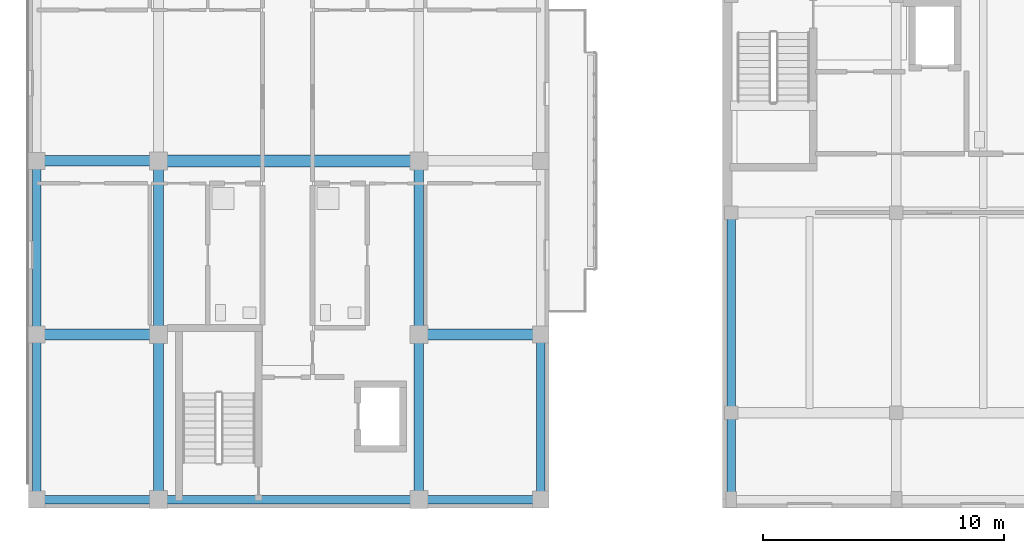
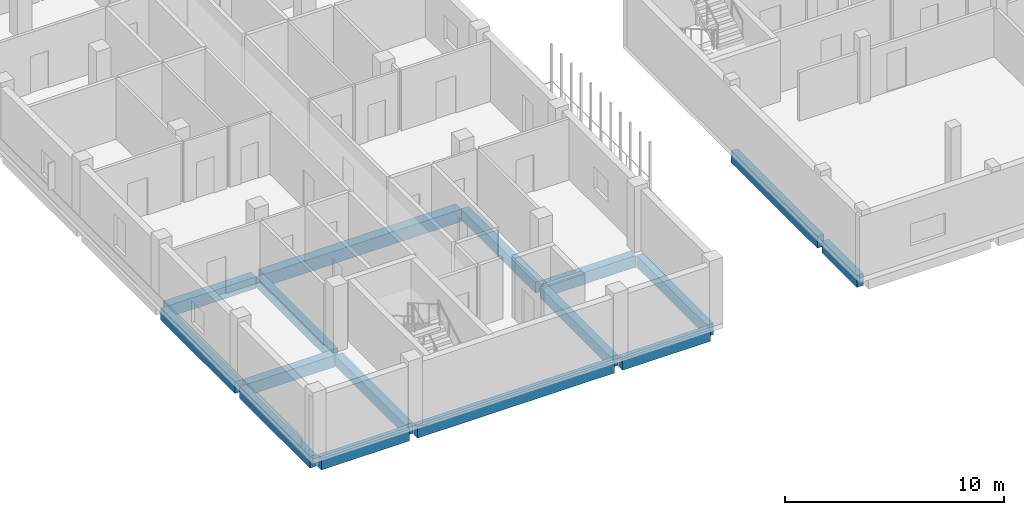
# One storey, part 3 of 73: 16 beams.
"""IFC4 building model written with IfcOpenShell, lengths in metres."""

from ifc_helpers import new_model, si_unit, derived_unit, direction, frame, origin, origin_2d, place, context, subcontext, project, spatial, rectangle, extrude, material, material_profile, profile_set, type_object, element, save


model = new_model("IFC4")

# Units and contexts
model_context = context("Model", 3, precision=1e-05, world=origin(), true_north=direction((0.0, 1.0)))
body_context = subcontext(model_context, "Body", "Model", "MODEL_VIEW")
ifc_project = project(units=[si_unit("LENGTHUNIT", "METRE"), si_unit("AREAUNIT", "SQUARE_METRE"), si_unit("VOLUMEUNIT", "CUBIC_METRE"), si_unit("PLANEANGLEUNIT", "RADIAN"), si_unit("MASSUNIT", "GRAM", prefix="KILO"), derived_unit("THERMALTRANSMITTANCEUNIT", [(si_unit("MASSUNIT", "GRAM", prefix="KILO"), 1), (si_unit("TIMEUNIT", "SECOND"), -3), (si_unit("THERMODYNAMICTEMPERATUREUNIT", "KELVIN"), -1)])], contexts=[model_context])

# Site, building, storey
site_placement = place(None, origin())
site = spatial("IfcSite", under=ifc_project, at=site_placement, CompositionType="ELEMENT")
building_placement = place(site_placement, origin())
building = spatial("IfcBuilding", under=site, at=building_placement, Name="Ochrekiln Boulevard Commons", CompositionType="ELEMENT")
storey_placement = place(building_placement, frame((0.0, 0.0, 4.89990234375)))
storey = spatial("IfcBuildingStorey", under=building, at=storey_placement, Name="L01", CompositionType="ELEMENT", Elevation=4.89990234375)

# Beams
ifc_material_1 = material(Name="Concrete C35/45", Category="concrete")
ifc_material_profile_1 = material_profile(ifc_material_1, rectangle(XDim=0.39990234375, YDim=0.60009765625, at=origin_2d()), Name="RC-BM-400x600")
ifc_profile_set_1 = profile_set([ifc_material_profile_1], Name="Concrete C35/45")
beam_type_1 = type_object("IfcBeamType", Name="BM-RC-400x600", PredefinedType="BEAM", material=ifc_profile_set_1)
beam_1_placement = place(storey_placement, frame((5.39990234375, 0.56005859375, -0.559814453125), z_axis=(0.0, 1.0, 0.0), x_axis=(-1.0, 0.0, 0.0)))
element("IfcBeam", 1, at=beam_1_placement, inside=storey, type_object=beam_type_1, Name="Block D L01 Beam B-4060 Y30", PredefinedType="BEAM", context=body_context, shape_type="SweptSolid", body=[
    extrude(rectangle(XDim=0.39990234375, YDim=0.60009765625, at=origin_2d()), origin(), (0.0, 0.0, 1.0), 6.429931640625),
])
beam_2_placement = place(storey_placement, frame((5.39990234375, 7.409912109375, -0.559814453125), z_axis=(0.0, 1.0, 0.0), x_axis=(-1.0, 0.0, 0.0)))
element("IfcBeam", 2, at=beam_2_placement, inside=storey, type_object=beam_type_1, Name="Block D L01 Beam B-4060 Y31", PredefinedType="BEAM", context=body_context, shape_type="SweptSolid", body=[
    extrude(rectangle(XDim=0.39990234375, YDim=0.60009765625, at=origin_2d()), origin(), (0.0, 0.0, 1.0), 6.780029296875),
])
beam_3_placement = place(storey_placement, frame((16.199951171875, 0.56005859375, -0.559814453125), z_axis=(0.0, 1.0, 0.0), x_axis=(-1.0, 0.0, 0.0)))
element("IfcBeam", 3, at=beam_3_placement, inside=storey, type_object=beam_type_1, Name="Block D L01 Beam B-4060 Y37", PredefinedType="BEAM", context=body_context, shape_type="SweptSolid", body=[
    extrude(rectangle(XDim=0.39990234375, YDim=0.60009765625, at=origin_2d()), origin(), (0.0, 0.0, 1.0), 6.429931640625),
])
beam_4_placement = place(storey_placement, frame((16.199951171875, 7.409912109375, -0.559814453125), z_axis=(0.0, 1.0, 0.0), x_axis=(-1.0, 0.0, 0.0)))
element("IfcBeam", 4, at=beam_4_placement, inside=storey, type_object=beam_type_1, Name="Block D L01 Beam B-4060 Y38", PredefinedType="BEAM", context=body_context, shape_type="SweptSolid", body=[
    extrude(rectangle(XDim=0.39990234375, YDim=0.60009765625, at=origin_2d()), origin(), (0.0, 0.0, 1.0), 6.780029296875),
])
ifc_material_profile_2 = material_profile(ifc_material_1, rectangle(XDim=0.449951171875, YDim=0.64990234375, at=origin_2d()), Name="RC-BM-450x650")
ifc_profile_set_2 = profile_set([ifc_material_profile_2], Name="Concrete C35/45")
beam_type_2 = type_object("IfcBeamType", Name="BM-RC-450x650", PredefinedType="BEAM", material=ifc_profile_set_2)
beam_5_placement = place(storey_placement, frame((0.56005859375, 7.199951171875, -0.5849609375), z_axis=(1.0, 0.0, 0.0), x_axis=(0.0, 1.0, 0.0)))
element("IfcBeam", 5, at=beam_5_placement, inside=storey, type_object=beam_type_2, Name="Block D L01 Beam B-4565 X4", PredefinedType="BEAM", context=body_context, shape_type="SweptSolid", body=[
    extrude(rectangle(XDim=0.449951171875, YDim=0.64990234375, at=origin_2d()), origin(), (0.0, 0.0, 1.0), 4.6298828125),
])
beam_6_placement = place(storey_placement, frame((16.409912109375, 7.199951171875, -0.5849609375), z_axis=(1.0, 0.0, 0.0), x_axis=(0.0, 1.0, 0.0)))
element("IfcBeam", 6, at=beam_6_placement, inside=storey, type_object=beam_type_2, Name="Block D L01 Beam B-4565 X5", PredefinedType="BEAM", context=body_context, shape_type="SweptSolid", body=[
    extrude(rectangle(XDim=0.449951171875, YDim=0.64990234375, at=origin_2d()), origin(), (0.0, 0.0, 1.0), 4.630126953125),
])
beam_7_placement = place(storey_placement, frame((0.56005859375, 14.39990234375, -0.5849609375), z_axis=(1.0, 0.0, 0.0), x_axis=(0.0, 1.0, 0.0)))
element("IfcBeam", 7, at=beam_7_placement, inside=storey, type_object=beam_type_2, Name="Block D L01 Beam B-4565 X6", PredefinedType="BEAM", context=body_context, shape_type="SweptSolid", body=[
    extrude(rectangle(XDim=0.449951171875, YDim=0.64990234375, at=origin_2d()), origin(), (0.0, 0.0, 1.0), 4.6298828125),
])
ifc_material_2 = material(Name="Concrete C40/50", Category="concrete")
ifc_material_profile_3 = material_profile(ifc_material_2, rectangle(XDim=0.5, YDim=0.699951171875, at=origin_2d()), Name="RC-BM-500x700")
ifc_profile_set_3 = profile_set([ifc_material_profile_3], Name="Concrete C40/50")
beam_type_3 = type_object("IfcBeamType", Name="BM-RC-500x700", PredefinedType="BEAM", material=ifc_profile_set_3)
beam_8_placement = place(storey_placement, frame((5.610107421875, 14.39990234375, -0.60986328125), z_axis=(1.0, 0.0, 0.0), x_axis=(0.0, 1.0, 0.0)))
element("IfcBeam", 8, at=beam_8_placement, inside=storey, type_object=beam_type_3, Name="Block D L01 Beam B-5070 X7", PredefinedType="BEAM", context=body_context, shape_type="SweptSolid", body=[
    extrude(rectangle(XDim=0.5, YDim=0.699951171875, at=origin_2d()), origin(), (0.0, 0.0, 1.0), 10.3798828125),
])
ifc_material_profile_4 = material_profile(ifc_material_2, rectangle(XDim=0.35009765625, YDim=0.64990234375, at=origin_2d()), Name="RC-SPN-350x650")
ifc_profile_set_4 = profile_set([ifc_material_profile_4], Name="Concrete C40/50")
beam_type_4 = type_object("IfcBeamType", Name="SPN-RC-350x650", PredefinedType="SPANDREL", material=ifc_profile_set_4)
beam_9_placement = place(storey_placement, frame((0.56005859375, 0.35009765625, -0.5849609375), z_axis=(1.0, 0.0, 0.0), x_axis=(0.0, 1.0, 0.0)))
element("IfcBeam", 9, at=beam_9_placement, inside=storey, type_object=beam_type_4, Name="Block D L01 Beam SP-3565 X1", PredefinedType="SPANDREL", context=body_context, shape_type="SweptSolid", body=[
    extrude(rectangle(XDim=0.35009765625, YDim=0.64990234375, at=origin_2d()), origin(), (0.0, 0.0, 1.0), 4.6298828125),
])
beam_10_placement = place(storey_placement, frame((5.610107421875, 0.35009765625, -0.5849609375), z_axis=(1.0, 0.0, 0.0), x_axis=(0.0, 1.0, 0.0)))
element("IfcBeam", 10, at=beam_10_placement, inside=storey, type_object=beam_type_4, Name="Block D L01 Beam SP-3565 X2", PredefinedType="SPANDREL", context=body_context, shape_type="SweptSolid", body=[
    extrude(rectangle(XDim=0.35009765625, YDim=0.64990234375, at=origin_2d()), origin(), (0.0, 0.0, 1.0), 10.3798828125),
])
beam_11_placement = place(storey_placement, frame((16.409912109375, 0.35009765625, -0.5849609375), z_axis=(1.0, 0.0, 0.0), x_axis=(0.0, 1.0, 0.0)))
element("IfcBeam", 11, at=beam_11_placement, inside=storey, type_object=beam_type_4, Name="Block D L01 Beam SP-3565 X3", PredefinedType="SPANDREL", context=body_context, shape_type="SweptSolid", body=[
    extrude(rectangle(XDim=0.35009765625, YDim=0.64990234375, at=origin_2d()), origin(), (0.0, 0.0, 1.0), 4.630126953125),
])
beam_12_placement = place(storey_placement, frame((0.35009765625, 0.56005859375, -0.5849609375), z_axis=(0.0, 1.0, 0.0), x_axis=(-1.0, 0.0, 0.0)))
element("IfcBeam", 12, at=beam_12_placement, inside=storey, type_object=beam_type_4, Name="Block D L01 Beam SP-3565 Y23", PredefinedType="SPANDREL", context=body_context, shape_type="SweptSolid", body=[
    extrude(rectangle(XDim=0.35009765625, YDim=0.64990234375, at=origin_2d()), origin(), (0.0, 0.0, 1.0), 6.429931640625),
])
beam_13_placement = place(storey_placement, frame((0.35009765625, 7.409912109375, -0.5849609375), z_axis=(0.0, 1.0, 0.0), x_axis=(-1.0, 0.0, 0.0)))
element("IfcBeam", 13, at=beam_13_placement, inside=storey, type_object=beam_type_4, Name="Block D L01 Beam SP-3565 Y24", PredefinedType="SPANDREL", context=body_context, shape_type="SweptSolid", body=[
    extrude(rectangle(XDim=0.35009765625, YDim=0.64990234375, at=origin_2d()), origin(), (0.0, 0.0, 1.0), 6.780029296875),
])
beam_14_placement = place(storey_placement, frame((21.25, 0.56005859375, -0.5849609375), z_axis=(0.0, 1.0, 0.0), x_axis=(-1.0, 0.0, 0.0)))
element("IfcBeam", 14, at=beam_14_placement, inside=storey, type_object=beam_type_4, Name="Block D L01 Beam SP-3565 Y44", PredefinedType="SPANDREL", context=body_context, shape_type="SweptSolid", body=[
    extrude(rectangle(XDim=0.35009765625, YDim=0.64990234375, at=origin_2d()), origin(), (0.0, 0.0, 1.0), 6.429931640625),
])
beam_15_placement = place(storey_placement, frame((29.14990234375, 0.56005859375, -0.599853515625), z_axis=(0.0, 1.0, 0.0), x_axis=(-1.0, 0.0, 0.0)))
element("IfcBeam", 15, at=beam_15_placement, inside=storey, type_object=beam_type_4, Name="West Boulevard Shops and Arcade L01 Beam SP-3565 Y17", PredefinedType="SPANDREL", context=body_context, shape_type="SweptSolid", body=[
    extrude(rectangle(XDim=0.35009765625, YDim=0.64990234375, at=origin_2d()), origin(), (0.0, 0.0, 1.0), 3.179931640625),
])
beam_16_placement = place(storey_placement, frame((29.14990234375, 4.159912109375, -0.599853515625), z_axis=(0.0, 1.0, 0.0), x_axis=(-1.0, 0.0, 0.0)))
element("IfcBeam", 16, at=beam_16_placement, inside=storey, type_object=beam_type_4, Name="West Boulevard Shops and Arcade L01 Beam SP-3565 Y18", PredefinedType="SPANDREL", context=body_context, shape_type="SweptSolid", body=[
    extrude(rectangle(XDim=0.35009765625, YDim=0.64990234375, at=origin_2d()), origin(), (0.0, 0.0, 1.0), 7.880126953125),
])

save(model, "model.ifc")
